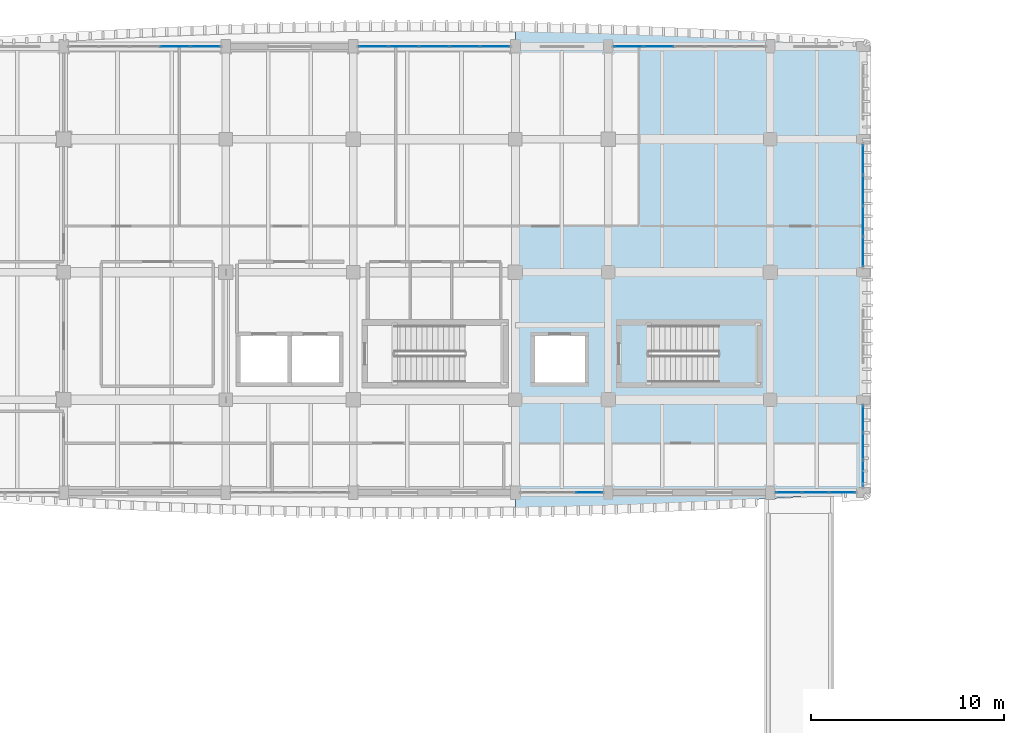
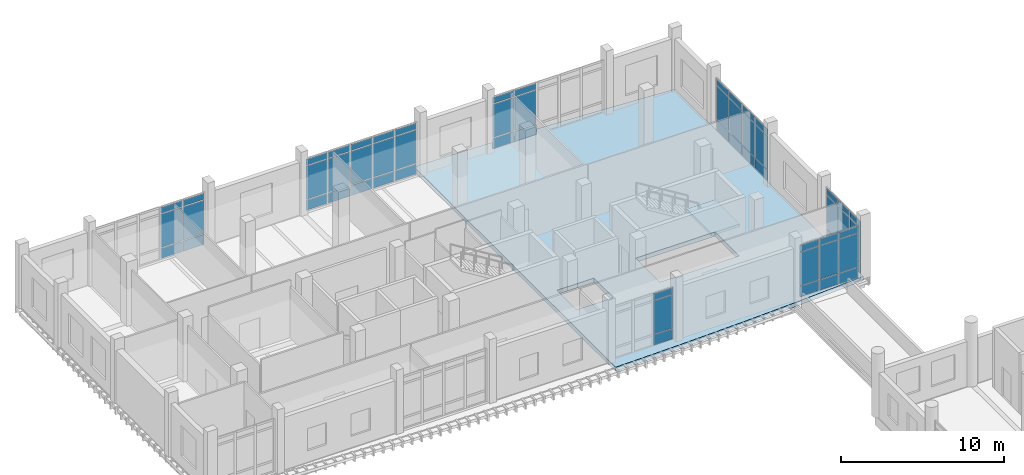
# One storey, part 36 of 76: 60 plates, 2 slabs, 8 elements without a shape of their own.
"""IFC4 building model written with IfcOpenShell, lengths in metres."""

from ifc_helpers import new_model, si_unit, direction, frame, origin, origin_2d, place, context, subcontext, project, spatial, polyline, rectangle, outline, extrude, material, layer, layer_set, type_object, element, aggregate, save


model = new_model("IFC4")

# Units and contexts
model_context = context("Model", 3, precision=1e-05, world=origin(), true_north=direction((0.0, 1.0)))
body_context = subcontext(model_context, "Body", "Model", "MODEL_VIEW")
ifc_project = project(units=[si_unit("LENGTHUNIT", "METRE"), si_unit("AREAUNIT", "SQUARE_METRE"), si_unit("VOLUMEUNIT", "CUBIC_METRE"), si_unit("PLANEANGLEUNIT", "RADIAN"), si_unit("MASSUNIT", "GRAM", prefix="KILO")], contexts=[model_context])

# Site, building, storey
site_placement = place(None, origin())
site = spatial("IfcSite", under=ifc_project, at=site_placement, CompositionType="ELEMENT")
building_placement = place(site_placement, origin())
building = spatial("IfcBuilding", under=site, at=building_placement, Name="Dornvale Research Institute", CompositionType="ELEMENT")
storey_placement = place(building_placement, frame((0.0, 0.0, 15.0)))
storey = spatial("IfcBuildingStorey", under=building, at=storey_placement, Name="L03", CompositionType="ELEMENT", Elevation=15.0)

# Curtain wall, plates
ifc_material_1 = material(Name="Low-E Argon Double Insulating Glazing Unit", Category="glass")
curtain_wall_type_1 = type_object("IfcCurtainWallType", Name="UnitisedCurtainWall_V5_7900x3950", PredefinedType="USERDEFINED", material=ifc_material_1)
curtain_wall_1_placement = place(storey_placement, origin())
curtain_wall_1 = element("IfcCurtainWall", 1, at=curtain_wall_1_placement, inside=storey, type_object=curtain_wall_type_1, Name="L03 V5 unitised curtain wall CW-24 #148", ObjectType="UNITISED CURTAIN WALL", PredefinedType="USERDEFINED")
ifc_material_2 = material(Name="Insulated Ceramic-Frit Spandrel Glass Panel", Category="glass")
ifc_layer_1 = layer(ifc_material_2, 0.0419921875)
ifc_layer_set_1 = layer_set([ifc_layer_1], Name="Insulated Ceramic-Frit Spandrel Glass Panel")
plate_type_1 = type_object("IfcPlateType", Name="CurtainPanel_Spandrel_42", PredefinedType="CURTAIN_PANEL", material=ifc_layer_set_1)
plate_1_placement = place(storey_placement, frame((10.580078125, 122.10009765625, 0.06494140625), z_axis=(0.0, 0.0, 1.0), x_axis=(1.0, 0.0, 0.0)))
plate_1 = element("IfcPlate", 2, at=plate_1_placement, type_object=plate_type_1, Name="CW-24 panel 4.1", PredefinedType="CURTAIN_PANEL", context=body_context, shape_type="SweptSolid", body=[
    extrude(rectangle(XDim=1.514892578125, YDim=0.0419921875, at=origin_2d()), origin(), (0.0, 0.0, 1.0), 0.75244140625),
])
plate_2_placement = place(storey_placement, frame((12.143798828125, 122.10009765625, 0.06494140625), z_axis=(0.0, 0.0, 1.0), x_axis=(1.0, 0.0, 0.0)))
plate_2 = element("IfcPlate", 3, at=plate_2_placement, type_object=plate_type_1, Name="CW-24 panel 5.1", PredefinedType="CURTAIN_PANEL", context=body_context, shape_type="SweptSolid", body=[
    extrude(rectangle(XDim=1.482421875, YDim=0.0419921875, at=origin_2d()), origin(), (0.0, 0.0, 1.0), 0.75244140625),
])

curtain_wall_2_placement = place(storey_placement, origin())
curtain_wall_2 = element("IfcCurtainWall", 4, at=curtain_wall_2_placement, inside=storey, type_object=curtain_wall_type_1, Name="L03 V5 unitised curtain wall CW-24 #149", ObjectType="UNITISED CURTAIN WALL", PredefinedType="USERDEFINED")
plate_3_placement = place(storey_placement, frame((20.856201171875, 122.10009765625, 0.06494140625), z_axis=(0.0, 0.0, 1.0), x_axis=(1.0, 0.0, 0.0)))
plate_3 = element("IfcPlate", 5, at=plate_3_placement, type_object=plate_type_1, Name="CW-24 panel 1.1", PredefinedType="CURTAIN_PANEL", context=body_context, shape_type="SweptSolid", body=[
    extrude(rectangle(XDim=1.482421875, YDim=0.0419921875, at=origin_2d()), origin(), (0.0, 0.0, 1.0), 0.75244140625),
])
plate_4_placement = place(storey_placement, frame((22.419921875, 122.10009765625, 0.06494140625), z_axis=(0.0, 0.0, 1.0), x_axis=(1.0, 0.0, 0.0)))
plate_4 = element("IfcPlate", 6, at=plate_4_placement, type_object=plate_type_1, Name="CW-24 panel 2.1", PredefinedType="CURTAIN_PANEL", context=body_context, shape_type="SweptSolid", body=[
    extrude(rectangle(XDim=1.514892578125, YDim=0.0419921875, at=origin_2d()), origin(), (0.0, 0.0, 1.0), 0.75244140625),
])
plate_5_placement = place(storey_placement, frame((24.0, 122.10009765625, 0.06494140625), z_axis=(0.0, 0.0, 1.0), x_axis=(1.0, 0.0, 0.0)))
plate_5 = element("IfcPlate", 7, at=plate_5_placement, type_object=plate_type_1, Name="CW-24 panel 3.1", PredefinedType="CURTAIN_PANEL", context=body_context, shape_type="SweptSolid", body=[
    extrude(rectangle(XDim=1.514892578125, YDim=0.0419921875, at=origin_2d()), origin(), (0.0, 0.0, 1.0), 0.75244140625),
])
plate_6_placement = place(storey_placement, frame((25.580078125, 122.10009765625, 0.06494140625), z_axis=(0.0, 0.0, 1.0), x_axis=(1.0, 0.0, 0.0)))
plate_6 = element("IfcPlate", 8, at=plate_6_placement, type_object=plate_type_1, Name="CW-24 panel 4.1", PredefinedType="CURTAIN_PANEL", context=body_context, shape_type="SweptSolid", body=[
    extrude(rectangle(XDim=1.514892578125, YDim=0.0419921875, at=origin_2d()), origin(), (0.0, 0.0, 1.0), 0.75244140625),
])
plate_7_placement = place(storey_placement, frame((27.143798828125, 122.10009765625, 0.06494140625), z_axis=(0.0, 0.0, 1.0), x_axis=(1.0, 0.0, 0.0)))
plate_7 = element("IfcPlate", 9, at=plate_7_placement, type_object=plate_type_1, Name="CW-24 panel 5.1", PredefinedType="CURTAIN_PANEL", context=body_context, shape_type="SweptSolid", body=[
    extrude(rectangle(XDim=1.482421875, YDim=0.0419921875, at=origin_2d()), origin(), (0.0, 0.0, 1.0), 0.75244140625),
])

curtain_wall_3_placement = place(storey_placement, origin())
curtain_wall_3 = element("IfcCurtainWall", 10, at=curtain_wall_3_placement, inside=storey, type_object=curtain_wall_type_1, Name="L03 V5 unitised curtain wall CW-24 #150", ObjectType="UNITISED CURTAIN WALL", PredefinedType="USERDEFINED")
plate_8_placement = place(storey_placement, frame((34.05615234375, 122.10009765625, 0.06494140625), z_axis=(0.0, 0.0, 1.0), x_axis=(1.0, 0.0, 0.0)))
plate_8 = element("IfcPlate", 11, at=plate_8_placement, type_object=plate_type_1, Name="CW-24 panel 1.1", PredefinedType="CURTAIN_PANEL", context=body_context, shape_type="SweptSolid", body=[
    extrude(rectangle(XDim=1.482421875, YDim=0.0419921875, at=origin_2d()), origin(), (0.0, 0.0, 1.0), 0.75244140625),
])
plate_9_placement = place(storey_placement, frame((35.6201171875, 122.10009765625, 0.06494140625), z_axis=(0.0, 0.0, 1.0), x_axis=(1.0, 0.0, 0.0)))
plate_9 = element("IfcPlate", 12, at=plate_9_placement, type_object=plate_type_1, Name="CW-24 panel 2.1", PredefinedType="CURTAIN_PANEL", context=body_context, shape_type="SweptSolid", body=[
    extrude(rectangle(XDim=1.514892578125, YDim=0.0419921875, at=origin_2d()), origin(), (0.0, 0.0, 1.0), 0.75244140625),
])

ifc_material_3 = material(Name="Low-E Argon Double Insulating Glazing Unit", Category="glass")
curtain_wall_type_2 = type_object("IfcCurtainWallType", Name="UnitisedCurtainWall_V5_6400x3950", PredefinedType="USERDEFINED", material=ifc_material_3)
curtain_wall_4_placement = place(storey_placement, origin())
curtain_wall_4 = element("IfcCurtainWall", 13, at=curtain_wall_4_placement, inside=storey, type_object=curtain_wall_type_2, Name="L03 V5 unitised curtain wall CW-28 #151", ObjectType="UNITISED CURTAIN WALL", PredefinedType="USERDEFINED")
plate_10_placement = place(storey_placement, frame((46.199951171875, 116.233642578125, 0.06494140625), z_axis=(0.0, 0.0, 1.0), x_axis=(0.0, -1.0, 0.0)))
plate_10 = element("IfcPlate", 14, at=plate_10_placement, type_object=plate_type_1, Name="CW-28 panel 1.1", PredefinedType="CURTAIN_PANEL", context=body_context, shape_type="SweptSolid", body=[
    extrude(rectangle(XDim=1.50244140625, YDim=0.0419921875, at=origin_2d()), origin(), (0.0, 0.0, 1.0), 0.75244140625),
])
plate_11_placement = place(storey_placement, frame((46.199951171875, 114.64990234375, 0.06494140625), z_axis=(0.0, 0.0, 1.0), x_axis=(0.0, -1.0, 0.0)))
plate_11 = element("IfcPlate", 15, at=plate_11_placement, type_object=plate_type_1, Name="CW-28 panel 2.1", PredefinedType="CURTAIN_PANEL", context=body_context, shape_type="SweptSolid", body=[
    extrude(rectangle(XDim=1.534912109375, YDim=0.0419921875, at=origin_2d()), origin(), (0.0, 0.0, 1.0), 0.75244140625),
])
plate_12_placement = place(storey_placement, frame((46.199951171875, 113.050048828125, 0.06494140625), z_axis=(0.0, 0.0, 1.0), x_axis=(0.0, -1.0, 0.0)))
plate_12 = element("IfcPlate", 16, at=plate_12_placement, type_object=plate_type_1, Name="CW-28 panel 3.1", PredefinedType="CURTAIN_PANEL", context=body_context, shape_type="SweptSolid", body=[
    extrude(rectangle(XDim=1.534912109375, YDim=0.0419921875, at=origin_2d()), origin(), (0.0, 0.0, 1.0), 0.75244140625),
])
plate_13_placement = place(storey_placement, frame((46.199951171875, 111.46630859375, 0.06494140625), z_axis=(0.0, 0.0, 1.0), x_axis=(0.0, -1.0, 0.0)))
plate_13 = element("IfcPlate", 17, at=plate_13_placement, type_object=plate_type_1, Name="CW-28 panel 4.1", PredefinedType="CURTAIN_PANEL", context=body_context, shape_type="SweptSolid", body=[
    extrude(rectangle(XDim=1.50244140625, YDim=0.0419921875, at=origin_2d()), origin(), (0.0, 0.0, 1.0), 0.75244140625),
])

ifc_material_4 = material(Name="Low-E Argon Double Insulating Glazing Unit", Category="glass")
curtain_wall_type_3 = type_object("IfcCurtainWallType", Name="UnitisedCurtainWall_V5_4300x3950", PredefinedType="USERDEFINED", material=ifc_material_4)
curtain_wall_5_placement = place(storey_placement, origin())
curtain_wall_5 = element("IfcCurtainWall", 18, at=curtain_wall_5_placement, inside=storey, type_object=curtain_wall_type_3, Name="L03 V5 unitised curtain wall CW-25 #152", ObjectType="UNITISED CURTAIN WALL", PredefinedType="USERDEFINED")
plate_14_placement = place(storey_placement, frame((46.199951171875, 102.817138671875, 0.06494140625), z_axis=(0.0, 0.0, 1.0), x_axis=(0.0, -1.0, 0.0)))
plate_14 = element("IfcPlate", 19, at=plate_14_placement, type_object=plate_type_1, Name="CW-25 panel 1.1", PredefinedType="CURTAIN_PANEL", context=body_context, shape_type="SweptSolid", body=[
    extrude(rectangle(XDim=1.3359375, YDim=0.0419921875, at=origin_2d()), origin(), (0.0, 0.0, 1.0), 0.75244140625),
])
plate_15_placement = place(storey_placement, frame((46.199951171875, 101.39990234375, 0.06494140625), z_axis=(0.0, 0.0, 1.0), x_axis=(0.0, -1.0, 0.0)))
plate_15 = element("IfcPlate", 20, at=plate_15_placement, type_object=plate_type_1, Name="CW-25 panel 2.1", PredefinedType="CURTAIN_PANEL", context=body_context, shape_type="SweptSolid", body=[
    extrude(rectangle(XDim=1.368408203125, YDim=0.0419921875, at=origin_2d()), origin(), (0.0, 0.0, 1.0), 0.75244140625),
])
plate_16_placement = place(storey_placement, frame((46.199951171875, 99.98291015625, 0.06494140625), z_axis=(0.0, 0.0, 1.0), x_axis=(0.0, -1.0, 0.0)))
plate_16 = element("IfcPlate", 21, at=plate_16_placement, type_object=plate_type_1, Name="CW-25 panel 3.1", PredefinedType="CURTAIN_PANEL", context=body_context, shape_type="SweptSolid", body=[
    extrude(rectangle(XDim=1.3359375, YDim=0.0419921875, at=origin_2d()), origin(), (0.0, 0.0, 1.0), 0.75244140625),
])

ifc_material_5 = material(Name="Low-E Argon Double Insulating Glazing Unit", Category="glass")
curtain_wall_type_4 = type_object("IfcCurtainWallType", Name="UnitisedCurtainWall_V5_4200x3950", PredefinedType="USERDEFINED", material=ifc_material_5)
curtain_wall_6_placement = place(storey_placement, origin())
curtain_wall_6 = element("IfcCurtainWall", 22, at=curtain_wall_6_placement, inside=storey, type_object=curtain_wall_type_4, Name="L03 V5 unitised curtain wall CW-27 #153", ObjectType="UNITISED CURTAIN WALL", PredefinedType="USERDEFINED")
plate_17_placement = place(storey_placement, frame((45.1337890625, 99.0, 0.06494140625), z_axis=(0.0, 0.0, 1.0), x_axis=(-1.0, 0.0, 0.0)))
plate_17 = element("IfcPlate", 23, at=plate_17_placement, type_object=plate_type_1, Name="CW-27 panel 1.1", PredefinedType="CURTAIN_PANEL", context=body_context, shape_type="SweptSolid", body=[
    extrude(rectangle(XDim=1.302490234375, YDim=0.0419921875, at=origin_2d()), origin(), (0.0, 0.0, 1.0), 0.75244140625),
])
plate_18_placement = place(storey_placement, frame((43.75, 99.0, 0.06494140625), z_axis=(0.0, 0.0, 1.0), x_axis=(-1.0, 0.0, 0.0)))
plate_18 = element("IfcPlate", 24, at=plate_18_placement, type_object=plate_type_1, Name="CW-27 panel 2.1", PredefinedType="CURTAIN_PANEL", context=body_context, shape_type="SweptSolid", body=[
    extrude(rectangle(XDim=1.3349609375, YDim=0.0419921875, at=origin_2d()), origin(), (0.0, 0.0, 1.0), 0.75244140625),
])
plate_19_placement = place(storey_placement, frame((42.3662109375, 99.0, 0.06494140625), z_axis=(0.0, 0.0, 1.0), x_axis=(-1.0, 0.0, 0.0)))
plate_19 = element("IfcPlate", 25, at=plate_19_placement, type_object=plate_type_1, Name="CW-27 panel 3.1", PredefinedType="CURTAIN_PANEL", context=body_context, shape_type="SweptSolid", body=[
    extrude(rectangle(XDim=1.302490234375, YDim=0.0419921875, at=origin_2d()), origin(), (0.0, 0.0, 1.0), 0.75244140625),
])

# Curtain wall, plate
curtain_wall_7_placement = place(storey_placement, origin())
curtain_wall_7 = element("IfcCurtainWall", 26, at=curtain_wall_7_placement, inside=storey, type_object=curtain_wall_type_3, Name="L03 V5 unitised curtain wall CW-25 #154", ObjectType="UNITISED CURTAIN WALL", PredefinedType="USERDEFINED")
plate_20_placement = place(storey_placement, frame((32.01708984375, 99.0, 0.06494140625), z_axis=(0.0, 0.0, 1.0), x_axis=(-1.0, 0.0, 0.0)))
plate_20 = element("IfcPlate", 27, at=plate_20_placement, type_object=plate_type_1, Name="CW-25 panel 1.1", PredefinedType="CURTAIN_PANEL", context=body_context, shape_type="SweptSolid", body=[
    extrude(rectangle(XDim=1.3359375, YDim=0.0419921875, at=origin_2d()), origin(), (0.0, 0.0, 1.0), 0.75244140625),
])

# Plate
ifc_material_6 = material(Name="Low-E Argon Double Insulating Glazing Unit", Category="glass")
ifc_layer_2 = layer(ifc_material_6, 0.028076171875)
ifc_layer_set_2 = layer_set([ifc_layer_2], Name="Low-E Argon Double Insulating Glazing Unit")
plate_type_2 = type_object("IfcPlateType", Name="CurtainPanel_Vision_28", PredefinedType="CURTAIN_PANEL", material=ifc_layer_set_2)
plate_21_placement = place(storey_placement, frame((10.580078125, 122.10009765625, 0.88232421875), z_axis=(0.0, 0.0, 1.0), x_axis=(1.0, 0.0, 0.0)))
plate_21 = element("IfcPlate", 28, at=plate_21_placement, type_object=plate_type_2, Name="CW-24 panel 4.2", PredefinedType="CURTAIN_PANEL", context=body_context, shape_type="SweptSolid", body=[
    extrude(rectangle(XDim=1.514892578125, YDim=0.028076171875, at=origin_2d()), origin(), (0.0, 0.0, 1.0), 2.485107421875),
])

plate_22_placement = place(storey_placement, frame((10.580078125, 122.10009765625, 3.4326171875), z_axis=(0.0, 0.0, 1.0), x_axis=(1.0, 0.0, 0.0)))
plate_22 = element("IfcPlate", 29, at=plate_22_placement, type_object=plate_type_2, Name="CW-24 panel 4.3", PredefinedType="CURTAIN_PANEL", context=body_context, shape_type="SweptSolid", body=[
    extrude(rectangle(XDim=1.514892578125, YDim=0.028076171875, at=origin_2d()), origin(), (0.0, 0.0, 1.0), 0.452392578125),
])

plate_23_placement = place(storey_placement, frame((12.143798828125, 122.10009765625, 0.88232421875), z_axis=(0.0, 0.0, 1.0), x_axis=(1.0, 0.0, 0.0)))
plate_23 = element("IfcPlate", 30, at=plate_23_placement, type_object=plate_type_2, Name="CW-24 panel 5.2", PredefinedType="CURTAIN_PANEL", context=body_context, shape_type="SweptSolid", body=[
    extrude(rectangle(XDim=1.482421875, YDim=0.028076171875, at=origin_2d()), origin(), (0.0, 0.0, 1.0), 2.485107421875),
])

plate_24_placement = place(storey_placement, frame((12.143798828125, 122.10009765625, 3.4326171875), z_axis=(0.0, 0.0, 1.0), x_axis=(1.0, 0.0, 0.0)))
plate_24 = element("IfcPlate", 31, at=plate_24_placement, type_object=plate_type_2, Name="CW-24 panel 5.3", PredefinedType="CURTAIN_PANEL", context=body_context, shape_type="SweptSolid", body=[
    extrude(rectangle(XDim=1.482421875, YDim=0.028076171875, at=origin_2d()), origin(), (0.0, 0.0, 1.0), 0.452392578125),
])

aggregate(curtain_wall_1, [plate_1, plate_21, plate_22, plate_2, plate_23, plate_24])

plate_25_placement = place(storey_placement, frame((20.856201171875, 122.10009765625, 0.88232421875), z_axis=(0.0, 0.0, 1.0), x_axis=(1.0, 0.0, 0.0)))
plate_25 = element("IfcPlate", 32, at=plate_25_placement, type_object=plate_type_2, Name="CW-24 panel 1.2", PredefinedType="CURTAIN_PANEL", context=body_context, shape_type="SweptSolid", body=[
    extrude(rectangle(XDim=1.482421875, YDim=0.028076171875, at=origin_2d()), origin(), (0.0, 0.0, 1.0), 2.485107421875),
])

plate_26_placement = place(storey_placement, frame((20.856201171875, 122.10009765625, 3.4326171875), z_axis=(0.0, 0.0, 1.0), x_axis=(1.0, 0.0, 0.0)))
plate_26 = element("IfcPlate", 33, at=plate_26_placement, type_object=plate_type_2, Name="CW-24 panel 1.3", PredefinedType="CURTAIN_PANEL", context=body_context, shape_type="SweptSolid", body=[
    extrude(rectangle(XDim=1.482421875, YDim=0.028076171875, at=origin_2d()), origin(), (0.0, 0.0, 1.0), 0.452392578125),
])

plate_27_placement = place(storey_placement, frame((22.419921875, 122.10009765625, 0.88232421875), z_axis=(0.0, 0.0, 1.0), x_axis=(1.0, 0.0, 0.0)))
plate_27 = element("IfcPlate", 34, at=plate_27_placement, type_object=plate_type_2, Name="CW-24 panel 2.2", PredefinedType="CURTAIN_PANEL", context=body_context, shape_type="SweptSolid", body=[
    extrude(rectangle(XDim=1.514892578125, YDim=0.028076171875, at=origin_2d()), origin(), (0.0, 0.0, 1.0), 2.485107421875),
])

plate_28_placement = place(storey_placement, frame((22.419921875, 122.10009765625, 3.4326171875), z_axis=(0.0, 0.0, 1.0), x_axis=(1.0, 0.0, 0.0)))
plate_28 = element("IfcPlate", 35, at=plate_28_placement, type_object=plate_type_2, Name="CW-24 panel 2.3", PredefinedType="CURTAIN_PANEL", context=body_context, shape_type="SweptSolid", body=[
    extrude(rectangle(XDim=1.514892578125, YDim=0.028076171875, at=origin_2d()), origin(), (0.0, 0.0, 1.0), 0.452392578125),
])

plate_29_placement = place(storey_placement, frame((24.0, 122.10009765625, 0.88232421875), z_axis=(0.0, 0.0, 1.0), x_axis=(1.0, 0.0, 0.0)))
plate_29 = element("IfcPlate", 36, at=plate_29_placement, type_object=plate_type_2, Name="CW-24 panel 3.2", PredefinedType="CURTAIN_PANEL", context=body_context, shape_type="SweptSolid", body=[
    extrude(rectangle(XDim=1.514892578125, YDim=0.028076171875, at=origin_2d()), origin(), (0.0, 0.0, 1.0), 2.485107421875),
])

plate_30_placement = place(storey_placement, frame((24.0, 122.10009765625, 3.4326171875), z_axis=(0.0, 0.0, 1.0), x_axis=(1.0, 0.0, 0.0)))
plate_30 = element("IfcPlate", 37, at=plate_30_placement, type_object=plate_type_2, Name="CW-24 panel 3.3", PredefinedType="CURTAIN_PANEL", context=body_context, shape_type="SweptSolid", body=[
    extrude(rectangle(XDim=1.514892578125, YDim=0.028076171875, at=origin_2d()), origin(), (0.0, 0.0, 1.0), 0.452392578125),
])

plate_31_placement = place(storey_placement, frame((25.580078125, 122.10009765625, 0.88232421875), z_axis=(0.0, 0.0, 1.0), x_axis=(1.0, 0.0, 0.0)))
plate_31 = element("IfcPlate", 38, at=plate_31_placement, type_object=plate_type_2, Name="CW-24 panel 4.2", PredefinedType="CURTAIN_PANEL", context=body_context, shape_type="SweptSolid", body=[
    extrude(rectangle(XDim=1.514892578125, YDim=0.028076171875, at=origin_2d()), origin(), (0.0, 0.0, 1.0), 2.485107421875),
])

plate_32_placement = place(storey_placement, frame((25.580078125, 122.10009765625, 3.4326171875), z_axis=(0.0, 0.0, 1.0), x_axis=(1.0, 0.0, 0.0)))
plate_32 = element("IfcPlate", 39, at=plate_32_placement, type_object=plate_type_2, Name="CW-24 panel 4.3", PredefinedType="CURTAIN_PANEL", context=body_context, shape_type="SweptSolid", body=[
    extrude(rectangle(XDim=1.514892578125, YDim=0.028076171875, at=origin_2d()), origin(), (0.0, 0.0, 1.0), 0.452392578125),
])

plate_33_placement = place(storey_placement, frame((27.143798828125, 122.10009765625, 0.88232421875), z_axis=(0.0, 0.0, 1.0), x_axis=(1.0, 0.0, 0.0)))
plate_33 = element("IfcPlate", 40, at=plate_33_placement, type_object=plate_type_2, Name="CW-24 panel 5.2", PredefinedType="CURTAIN_PANEL", context=body_context, shape_type="SweptSolid", body=[
    extrude(rectangle(XDim=1.482421875, YDim=0.028076171875, at=origin_2d()), origin(), (0.0, 0.0, 1.0), 2.485107421875),
])

plate_34_placement = place(storey_placement, frame((27.143798828125, 122.10009765625, 3.4326171875), z_axis=(0.0, 0.0, 1.0), x_axis=(1.0, 0.0, 0.0)))
plate_34 = element("IfcPlate", 41, at=plate_34_placement, type_object=plate_type_2, Name="CW-24 panel 5.3", PredefinedType="CURTAIN_PANEL", context=body_context, shape_type="SweptSolid", body=[
    extrude(rectangle(XDim=1.482421875, YDim=0.028076171875, at=origin_2d()), origin(), (0.0, 0.0, 1.0), 0.452392578125),
])

aggregate(curtain_wall_2, [plate_3, plate_25, plate_26, plate_4, plate_27, plate_28, plate_5, plate_29, plate_30, plate_6, plate_31, plate_32, plate_7, plate_33, plate_34])

plate_35_placement = place(storey_placement, frame((34.05615234375, 122.10009765625, 0.88232421875), z_axis=(0.0, 0.0, 1.0), x_axis=(1.0, 0.0, 0.0)))
plate_35 = element("IfcPlate", 42, at=plate_35_placement, type_object=plate_type_2, Name="CW-24 panel 1.2", PredefinedType="CURTAIN_PANEL", context=body_context, shape_type="SweptSolid", body=[
    extrude(rectangle(XDim=1.482421875, YDim=0.028076171875, at=origin_2d()), origin(), (0.0, 0.0, 1.0), 2.485107421875),
])

plate_36_placement = place(storey_placement, frame((34.05615234375, 122.10009765625, 3.4326171875), z_axis=(0.0, 0.0, 1.0), x_axis=(1.0, 0.0, 0.0)))
plate_36 = element("IfcPlate", 43, at=plate_36_placement, type_object=plate_type_2, Name="CW-24 panel 1.3", PredefinedType="CURTAIN_PANEL", context=body_context, shape_type="SweptSolid", body=[
    extrude(rectangle(XDim=1.482421875, YDim=0.028076171875, at=origin_2d()), origin(), (0.0, 0.0, 1.0), 0.452392578125),
])

plate_37_placement = place(storey_placement, frame((35.6201171875, 122.10009765625, 0.88232421875), z_axis=(0.0, 0.0, 1.0), x_axis=(1.0, 0.0, 0.0)))
plate_37 = element("IfcPlate", 44, at=plate_37_placement, type_object=plate_type_2, Name="CW-24 panel 2.2", PredefinedType="CURTAIN_PANEL", context=body_context, shape_type="SweptSolid", body=[
    extrude(rectangle(XDim=1.514892578125, YDim=0.028076171875, at=origin_2d()), origin(), (0.0, 0.0, 1.0), 2.485107421875),
])

plate_38_placement = place(storey_placement, frame((35.6201171875, 122.10009765625, 3.4326171875), z_axis=(0.0, 0.0, 1.0), x_axis=(1.0, 0.0, 0.0)))
plate_38 = element("IfcPlate", 45, at=plate_38_placement, type_object=plate_type_2, Name="CW-24 panel 2.3", PredefinedType="CURTAIN_PANEL", context=body_context, shape_type="SweptSolid", body=[
    extrude(rectangle(XDim=1.514892578125, YDim=0.028076171875, at=origin_2d()), origin(), (0.0, 0.0, 1.0), 0.452392578125),
])

aggregate(curtain_wall_3, [plate_8, plate_35, plate_36, plate_9, plate_37, plate_38])

plate_39_placement = place(storey_placement, frame((46.199951171875, 116.233642578125, 0.88232421875), z_axis=(0.0, 0.0, 1.0), x_axis=(0.0, -1.0, 0.0)))
plate_39 = element("IfcPlate", 46, at=plate_39_placement, type_object=plate_type_2, Name="CW-28 panel 1.2", PredefinedType="CURTAIN_PANEL", context=body_context, shape_type="SweptSolid", body=[
    extrude(rectangle(XDim=1.50244140625, YDim=0.028076171875, at=origin_2d()), origin(), (0.0, 0.0, 1.0), 2.485107421875),
])

plate_40_placement = place(storey_placement, frame((46.199951171875, 116.233642578125, 3.4326171875), z_axis=(0.0, 0.0, 1.0), x_axis=(0.0, -1.0, 0.0)))
plate_40 = element("IfcPlate", 47, at=plate_40_placement, type_object=plate_type_2, Name="CW-28 panel 1.3", PredefinedType="CURTAIN_PANEL", context=body_context, shape_type="SweptSolid", body=[
    extrude(rectangle(XDim=1.50244140625, YDim=0.028076171875, at=origin_2d()), origin(), (0.0, 0.0, 1.0), 0.452392578125),
])

plate_41_placement = place(storey_placement, frame((46.199951171875, 114.64990234375, 0.88232421875), z_axis=(0.0, 0.0, 1.0), x_axis=(0.0, -1.0, 0.0)))
plate_41 = element("IfcPlate", 48, at=plate_41_placement, type_object=plate_type_2, Name="CW-28 panel 2.2", PredefinedType="CURTAIN_PANEL", context=body_context, shape_type="SweptSolid", body=[
    extrude(rectangle(XDim=1.534912109375, YDim=0.028076171875, at=origin_2d()), origin(), (0.0, 0.0, 1.0), 2.485107421875),
])

plate_42_placement = place(storey_placement, frame((46.199951171875, 114.64990234375, 3.4326171875), z_axis=(0.0, 0.0, 1.0), x_axis=(0.0, -1.0, 0.0)))
plate_42 = element("IfcPlate", 49, at=plate_42_placement, type_object=plate_type_2, Name="CW-28 panel 2.3", PredefinedType="CURTAIN_PANEL", context=body_context, shape_type="SweptSolid", body=[
    extrude(rectangle(XDim=1.534912109375, YDim=0.028076171875, at=origin_2d()), origin(), (0.0, 0.0, 1.0), 0.452392578125),
])

plate_43_placement = place(storey_placement, frame((46.199951171875, 113.050048828125, 0.88232421875), z_axis=(0.0, 0.0, 1.0), x_axis=(0.0, -1.0, 0.0)))
plate_43 = element("IfcPlate", 50, at=plate_43_placement, type_object=plate_type_2, Name="CW-28 panel 3.2", PredefinedType="CURTAIN_PANEL", context=body_context, shape_type="SweptSolid", body=[
    extrude(rectangle(XDim=1.534912109375, YDim=0.028076171875, at=origin_2d()), origin(), (0.0, 0.0, 1.0), 2.485107421875),
])

plate_44_placement = place(storey_placement, frame((46.199951171875, 113.050048828125, 3.4326171875), z_axis=(0.0, 0.0, 1.0), x_axis=(0.0, -1.0, 0.0)))
plate_44 = element("IfcPlate", 51, at=plate_44_placement, type_object=plate_type_2, Name="CW-28 panel 3.3", PredefinedType="CURTAIN_PANEL", context=body_context, shape_type="SweptSolid", body=[
    extrude(rectangle(XDim=1.534912109375, YDim=0.028076171875, at=origin_2d()), origin(), (0.0, 0.0, 1.0), 0.452392578125),
])

plate_45_placement = place(storey_placement, frame((46.199951171875, 111.46630859375, 0.88232421875), z_axis=(0.0, 0.0, 1.0), x_axis=(0.0, -1.0, 0.0)))
plate_45 = element("IfcPlate", 52, at=plate_45_placement, type_object=plate_type_2, Name="CW-28 panel 4.2", PredefinedType="CURTAIN_PANEL", context=body_context, shape_type="SweptSolid", body=[
    extrude(rectangle(XDim=1.50244140625, YDim=0.028076171875, at=origin_2d()), origin(), (0.0, 0.0, 1.0), 2.485107421875),
])

plate_46_placement = place(storey_placement, frame((46.199951171875, 111.46630859375, 3.4326171875), z_axis=(0.0, 0.0, 1.0), x_axis=(0.0, -1.0, 0.0)))
plate_46 = element("IfcPlate", 53, at=plate_46_placement, type_object=plate_type_2, Name="CW-28 panel 4.3", PredefinedType="CURTAIN_PANEL", context=body_context, shape_type="SweptSolid", body=[
    extrude(rectangle(XDim=1.50244140625, YDim=0.028076171875, at=origin_2d()), origin(), (0.0, 0.0, 1.0), 0.452392578125),
])

aggregate(curtain_wall_4, [plate_10, plate_39, plate_40, plate_11, plate_41, plate_42, plate_12, plate_43, plate_44, plate_13, plate_45, plate_46])

plate_47_placement = place(storey_placement, frame((46.199951171875, 102.817138671875, 0.88232421875), z_axis=(0.0, 0.0, 1.0), x_axis=(0.0, -1.0, 0.0)))
plate_47 = element("IfcPlate", 54, at=plate_47_placement, type_object=plate_type_2, Name="CW-25 panel 1.2", PredefinedType="CURTAIN_PANEL", context=body_context, shape_type="SweptSolid", body=[
    extrude(rectangle(XDim=1.3359375, YDim=0.028076171875, at=origin_2d()), origin(), (0.0, 0.0, 1.0), 2.485107421875),
])

plate_48_placement = place(storey_placement, frame((46.199951171875, 102.817138671875, 3.4326171875), z_axis=(0.0, 0.0, 1.0), x_axis=(0.0, -1.0, 0.0)))
plate_48 = element("IfcPlate", 55, at=plate_48_placement, type_object=plate_type_2, Name="CW-25 panel 1.3", PredefinedType="CURTAIN_PANEL", context=body_context, shape_type="SweptSolid", body=[
    extrude(rectangle(XDim=1.3359375, YDim=0.028076171875, at=origin_2d()), origin(), (0.0, 0.0, 1.0), 0.452392578125),
])

plate_49_placement = place(storey_placement, frame((46.199951171875, 101.39990234375, 0.88232421875), z_axis=(0.0, 0.0, 1.0), x_axis=(0.0, -1.0, 0.0)))
plate_49 = element("IfcPlate", 56, at=plate_49_placement, type_object=plate_type_2, Name="CW-25 panel 2.2", PredefinedType="CURTAIN_PANEL", context=body_context, shape_type="SweptSolid", body=[
    extrude(rectangle(XDim=1.368408203125, YDim=0.028076171875, at=origin_2d()), origin(), (0.0, 0.0, 1.0), 2.485107421875),
])

plate_50_placement = place(storey_placement, frame((46.199951171875, 101.39990234375, 3.4326171875), z_axis=(0.0, 0.0, 1.0), x_axis=(0.0, -1.0, 0.0)))
plate_50 = element("IfcPlate", 57, at=plate_50_placement, type_object=plate_type_2, Name="CW-25 panel 2.3", PredefinedType="CURTAIN_PANEL", context=body_context, shape_type="SweptSolid", body=[
    extrude(rectangle(XDim=1.368408203125, YDim=0.028076171875, at=origin_2d()), origin(), (0.0, 0.0, 1.0), 0.452392578125),
])

plate_51_placement = place(storey_placement, frame((46.199951171875, 99.98291015625, 0.88232421875), z_axis=(0.0, 0.0, 1.0), x_axis=(0.0, -1.0, 0.0)))
plate_51 = element("IfcPlate", 58, at=plate_51_placement, type_object=plate_type_2, Name="CW-25 panel 3.2", PredefinedType="CURTAIN_PANEL", context=body_context, shape_type="SweptSolid", body=[
    extrude(rectangle(XDim=1.3359375, YDim=0.028076171875, at=origin_2d()), origin(), (0.0, 0.0, 1.0), 2.485107421875),
])

plate_52_placement = place(storey_placement, frame((46.199951171875, 99.98291015625, 3.4326171875), z_axis=(0.0, 0.0, 1.0), x_axis=(0.0, -1.0, 0.0)))
plate_52 = element("IfcPlate", 59, at=plate_52_placement, type_object=plate_type_2, Name="CW-25 panel 3.3", PredefinedType="CURTAIN_PANEL", context=body_context, shape_type="SweptSolid", body=[
    extrude(rectangle(XDim=1.3359375, YDim=0.028076171875, at=origin_2d()), origin(), (0.0, 0.0, 1.0), 0.452392578125),
])

aggregate(curtain_wall_5, [plate_14, plate_47, plate_48, plate_15, plate_49, plate_50, plate_16, plate_51, plate_52])

plate_53_placement = place(storey_placement, frame((45.1337890625, 99.0, 0.88232421875), z_axis=(0.0, 0.0, 1.0), x_axis=(-1.0, 0.0, 0.0)))
plate_53 = element("IfcPlate", 60, at=plate_53_placement, type_object=plate_type_2, Name="CW-27 panel 1.2", PredefinedType="CURTAIN_PANEL", context=body_context, shape_type="SweptSolid", body=[
    extrude(rectangle(XDim=1.302490234375, YDim=0.028076171875, at=origin_2d()), origin(), (0.0, 0.0, 1.0), 2.485107421875),
])

plate_54_placement = place(storey_placement, frame((45.1337890625, 99.0, 3.4326171875), z_axis=(0.0, 0.0, 1.0), x_axis=(-1.0, 0.0, 0.0)))
plate_54 = element("IfcPlate", 61, at=plate_54_placement, type_object=plate_type_2, Name="CW-27 panel 1.3", PredefinedType="CURTAIN_PANEL", context=body_context, shape_type="SweptSolid", body=[
    extrude(rectangle(XDim=1.302490234375, YDim=0.028076171875, at=origin_2d()), origin(), (0.0, 0.0, 1.0), 0.452392578125),
])

plate_55_placement = place(storey_placement, frame((43.75, 99.0, 0.88232421875), z_axis=(0.0, 0.0, 1.0), x_axis=(-1.0, 0.0, 0.0)))
plate_55 = element("IfcPlate", 62, at=plate_55_placement, type_object=plate_type_2, Name="CW-27 panel 2.2", PredefinedType="CURTAIN_PANEL", context=body_context, shape_type="SweptSolid", body=[
    extrude(rectangle(XDim=1.3349609375, YDim=0.028076171875, at=origin_2d()), origin(), (0.0, 0.0, 1.0), 2.485107421875),
])

plate_56_placement = place(storey_placement, frame((43.75, 99.0, 3.4326171875), z_axis=(0.0, 0.0, 1.0), x_axis=(-1.0, 0.0, 0.0)))
plate_56 = element("IfcPlate", 63, at=plate_56_placement, type_object=plate_type_2, Name="CW-27 panel 2.3", PredefinedType="CURTAIN_PANEL", context=body_context, shape_type="SweptSolid", body=[
    extrude(rectangle(XDim=1.3349609375, YDim=0.028076171875, at=origin_2d()), origin(), (0.0, 0.0, 1.0), 0.452392578125),
])

plate_57_placement = place(storey_placement, frame((42.3662109375, 99.0, 0.88232421875), z_axis=(0.0, 0.0, 1.0), x_axis=(-1.0, 0.0, 0.0)))
plate_57 = element("IfcPlate", 64, at=plate_57_placement, type_object=plate_type_2, Name="CW-27 panel 3.2", PredefinedType="CURTAIN_PANEL", context=body_context, shape_type="SweptSolid", body=[
    extrude(rectangle(XDim=1.302490234375, YDim=0.028076171875, at=origin_2d()), origin(), (0.0, 0.0, 1.0), 2.485107421875),
])

plate_58_placement = place(storey_placement, frame((42.3662109375, 99.0, 3.4326171875), z_axis=(0.0, 0.0, 1.0), x_axis=(-1.0, 0.0, 0.0)))
plate_58 = element("IfcPlate", 65, at=plate_58_placement, type_object=plate_type_2, Name="CW-27 panel 3.3", PredefinedType="CURTAIN_PANEL", context=body_context, shape_type="SweptSolid", body=[
    extrude(rectangle(XDim=1.302490234375, YDim=0.028076171875, at=origin_2d()), origin(), (0.0, 0.0, 1.0), 0.452392578125),
])

aggregate(curtain_wall_6, [plate_17, plate_53, plate_54, plate_18, plate_55, plate_56, plate_19, plate_57, plate_58])

plate_59_placement = place(storey_placement, frame((32.01708984375, 99.0, 0.88232421875), z_axis=(0.0, 0.0, 1.0), x_axis=(-1.0, 0.0, 0.0)))
plate_59 = element("IfcPlate", 66, at=plate_59_placement, type_object=plate_type_2, Name="CW-25 panel 1.2", PredefinedType="CURTAIN_PANEL", context=body_context, shape_type="SweptSolid", body=[
    extrude(rectangle(XDim=1.3359375, YDim=0.028076171875, at=origin_2d()), origin(), (0.0, 0.0, 1.0), 2.485107421875),
])

plate_60_placement = place(storey_placement, frame((32.01708984375, 99.0, 3.4326171875), z_axis=(0.0, 0.0, 1.0), x_axis=(-1.0, 0.0, 0.0)))
plate_60 = element("IfcPlate", 67, at=plate_60_placement, type_object=plate_type_2, Name="CW-25 panel 1.3", PredefinedType="CURTAIN_PANEL", context=body_context, shape_type="SweptSolid", body=[
    extrude(rectangle(XDim=1.3359375, YDim=0.028076171875, at=origin_2d()), origin(), (0.0, 0.0, 1.0), 0.452392578125),
])

aggregate(curtain_wall_7, [plate_20, plate_59, plate_60])

# Slab
ifc_material_7 = material(Name="Concrete f'c 45 MPa (C35/45)", Category="concrete")
ifc_layer_3 = layer(ifc_material_7, 0.320068359375)
ifc_layer_set_3 = layer_set([ifc_layer_3], Name="Concrete f'c 45 MPa (C35/45)")
slab_type_1 = type_object("IfcSlabType", Name="FloorSlab_Lab_320", PredefinedType="FLOOR", material=ifc_layer_set_3)
slab_1_placement = place(storey_placement, frame((0.0, 0.0, -0.320068359375)))
element("IfcSlab", 68, at=slab_1_placement, inside=storey, type_object=slab_type_1, Name="L03 V5 E floor slab", PredefinedType="FLOOR", context=body_context, shape_type="SweptSolid", body=[
    extrude(outline(polyline([(29.699951171875, 122.880615234375), (31.35009765625, 122.841552734375), (33.0, 122.7939453125), (34.64990234375, 122.737548828125), (36.300048828125, 122.67236328125), (37.949951171875, 122.5986328125), (39.60009765625, 122.516357421875), (41.25, 122.42529296875), (42.89990234375, 122.325439453125), (44.550048828125, 122.217041015625), (46.199951171875, 122.10009765625), (46.199951171875, 99.0), (44.550048828125, 98.8828125), (42.89990234375, 98.7744140625), (41.25, 98.6748046875), (39.60009765625, 98.583740234375), (37.949951171875, 98.501220703125), (36.300048828125, 98.427490234375), (34.64990234375, 98.362548828125), (33.0, 98.30615234375), (31.35009765625, 98.25830078125), (29.699951171875, 98.219482421875), (28.199951171875, 98.19189453125), (28.199951171875, 122.908203125), (29.699951171875, 122.880615234375)]), holes=[polyline([(35.10009765625, 104.699951171875), (40.699951171875, 104.699951171875), (40.699951171875, 107.659912109375), (35.10009765625, 107.659912109375), (35.10009765625, 104.699951171875)]), polyline([(29.199951171875, 104.699951171875), (31.800048828125, 104.699951171875), (31.800048828125, 107.10009765625), (29.199951171875, 107.10009765625), (29.199951171875, 104.699951171875)])]), origin(), (0.0, 0.0, 1.0), 0.320068359375),
])

# Stair, slab
ifc_material_8 = material(Name="Concrete f'c 45 MPa (C35/45)", Category="concrete")
stair_type = type_object("IfcStairType", Name="HalfTurnStair_RC", PredefinedType="HALF_TURN_STAIR", material=ifc_material_8)
stair_placement = place(storey_placement, origin())
stair = element("IfcStair", 69, at=stair_placement, inside=storey, type_object=stair_type, Name="L03 Exit stair ST-2", PredefinedType="HALF_TURN_STAIR")
ifc_material_9 = material(Name="Concrete f'c 45 MPa (C35/45)", Category="concrete")
ifc_layer_4 = layer(ifc_material_9, 0.199951171875)
ifc_layer_set_4 = layer_set([ifc_layer_4], Name="Concrete f'c 45 MPa (C35/45)")
slab_type_2 = type_object("IfcSlabType", Name="Landing_Stair_200", PredefinedType="LANDING", material=ifc_layer_set_4)
slab_2_placement = place(storey_placement, frame((0.0, 0.0, 2.199951171875)))
slab_2 = element("IfcSlab", 70, at=slab_2_placement, type_object=slab_type_2, Name="ST-2 landing 1", PredefinedType="LANDING", context=body_context, shape_type="SweptSolid", body=[
    extrude(outline(polyline([(38.7099609375, 104.669921875), (38.7099609375, 107.68994140625), (40.72998046875, 107.68994140625), (40.72998046875, 104.669921875), (38.7099609375, 104.669921875)])), origin(), (0.0, 0.0, 1.0), 0.199951171875),
])
aggregate(stair, [slab_2])

save(model, "model.ifc")
